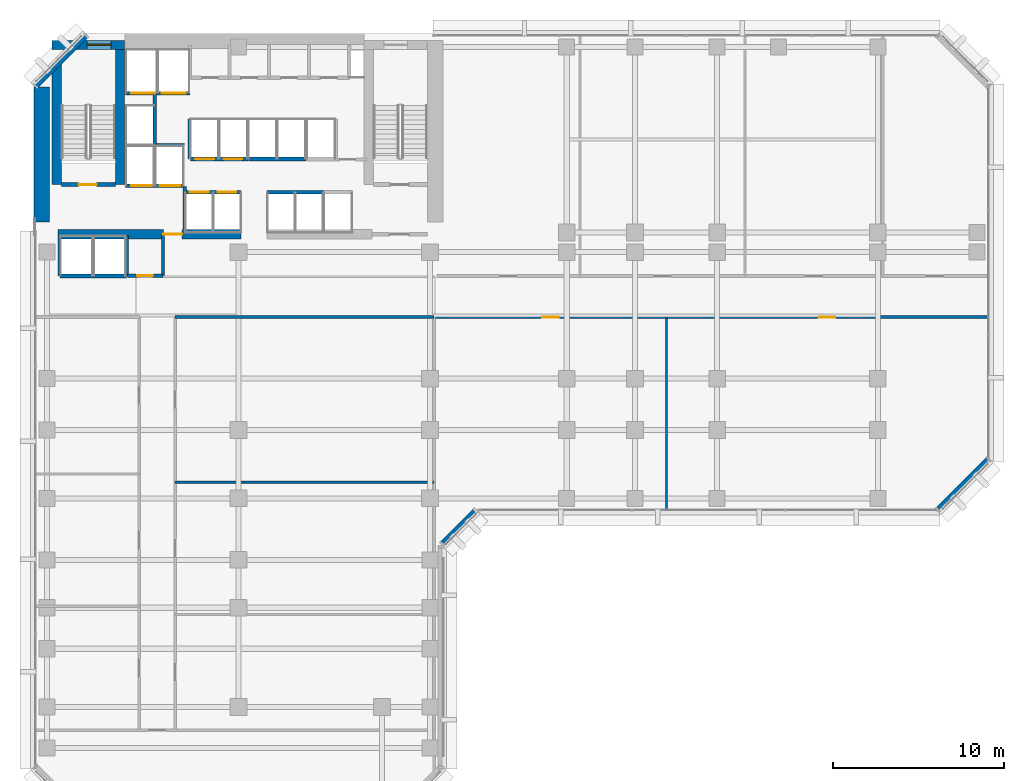
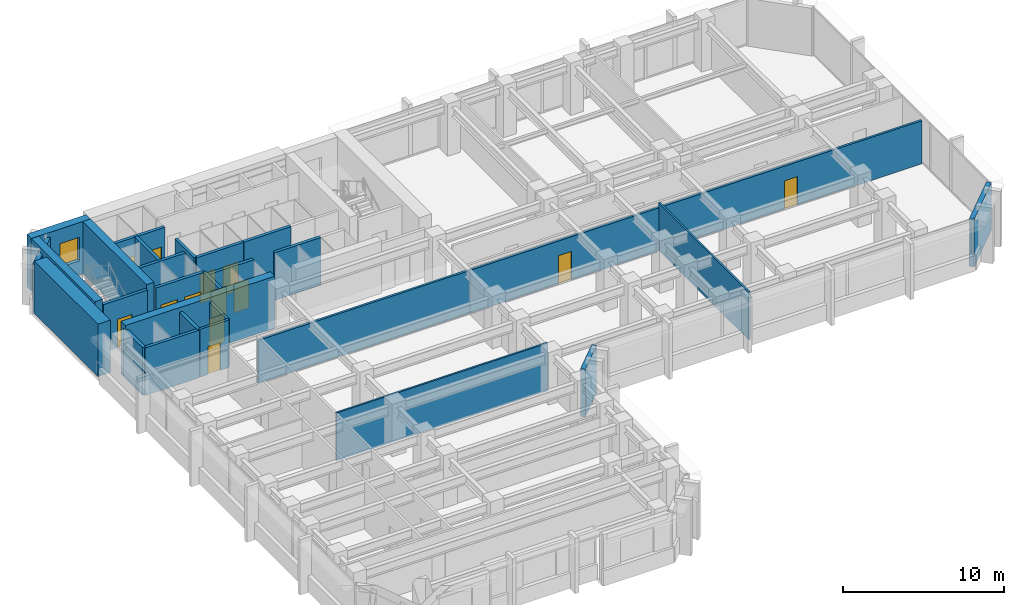
# One storey, part 7 of 13: 28 walls, 13 doors, 1 window, 14 openings.
"""IFC4 building model written with IfcOpenShell, lengths in metres."""

from ifc_helpers import new_model, si_unit, direction, frame, frame_2d, origin, place, context, subcontext, project, spatial, rectangle, extrude, material, layer, layer_set, type_object, element, fill, save


model = new_model("IFC4")

# Units and contexts
model_context = context("Model", 3, precision=1e-05, world=origin(), true_north=direction((0.0, 1.0)))
body_context = subcontext(model_context, "Body", "Model", "MODEL_VIEW")
ifc_project = project(units=[si_unit("LENGTHUNIT", "METRE"), si_unit("AREAUNIT", "SQUARE_METRE"), si_unit("VOLUMEUNIT", "CUBIC_METRE"), si_unit("PLANEANGLEUNIT", "RADIAN"), si_unit("MASSUNIT", "GRAM", prefix="KILO")], contexts=[model_context])

# Site, building, storey
site_placement = place(None, origin())
site = spatial("IfcSite", under=ifc_project, at=site_placement, CompositionType="ELEMENT")
building_placement = place(site_placement, origin())
building = spatial("IfcBuilding", under=site, at=building_placement, Name="Kefirva Bronze Tower", CompositionType="ELEMENT")
storey_placement = place(building_placement, frame((0.0, 0.0, 89.760009765625)))
storey = spatial("IfcBuildingStorey", under=building, at=storey_placement, Name="L21", CompositionType="ELEMENT", Elevation=89.760009765625)

# Walls
ifc_material_1 = material(Name="Gypsum acoustic partition")
ifc_layer_1 = layer(ifc_material_1, 0.1298828125, Name="Gypsum acoustic partition")
ifc_layer_set_1 = layer_set([ifc_layer_1], Name="Gypsum acoustic partition")
wall_type_1 = type_object("IfcWallType", Name="Acoustic Office Partition 130mm", PredefinedType="PARTITIONING", material=ifc_layer_set_1)
wall_1_placement = place(storey_placement, frame((8.300048828125, 19.736083984375, 0.0), z_axis=(0.0, 0.0, 1.0), x_axis=(1.0, 0.0, 0.0)))
element("IfcWall", 1, at=wall_1_placement, inside=storey, type_object=wall_type_1, Name="L21 Partition W-L21-SED2", PredefinedType="PARTITIONING", context=body_context, shape_type="SweptSolid", body=[
    extrude(rectangle(XDim=15.14990234375, YDim=0.1298828125, at=frame_2d((7.574951171875, 0.0))), origin(), (0.0, 0.0, 1.0), 3.610107421875),
])
wall_2_placement = place(storey_placement, frame((37.041259765625, 18.18994140625, 0.0), z_axis=(0.0, 0.0, 1.0), x_axis=(0.0, 1.0, 0.0)))
element("IfcWall", 2, at=wall_2_placement, inside=storey, type_object=wall_type_1, Name="L21 Partition W-L21-ESD1", PredefinedType="PARTITIONING", context=body_context, shape_type="SweptSolid", body=[
    extrude(rectangle(XDim=11.2099609375, YDim=0.1298828125, at=frame_2d((5.60498046875, 0.0))), origin(), (0.0, 0.0, 1.0), 3.610107421875),
])

# Wall, opening, door
ifc_material_2 = material(Name="Gypsum fireboard shaftwall")
ifc_layer_2 = layer(ifc_material_2, 0.219970703125, Name="Gypsum fireboard shaftwall")
ifc_layer_set_2 = layer_set([ifc_layer_2], Name="Gypsum fireboard shaftwall")
wall_type_2 = type_object("IfcWallType", Name="Fire-Rated Shaft Enclosure Wall 220mm", PredefinedType="PARTITIONING", material=ifc_layer_set_2)
wall_3_placement = place(storey_placement, frame((1.64990234375, 37.14990234375, 0.0), z_axis=(0.0, 0.0, 1.0), x_axis=(1.0, 0.0, 0.0)))
wall_3 = element("IfcWall", 3, at=wall_3_placement, inside=storey, type_object=wall_type_2, Name="L21 Partition W-L21-ST1S", PredefinedType="PARTITIONING", context=body_context, shape_type="SweptSolid", body=[
    extrude(rectangle(XDim=3.150146484375, YDim=0.219970703125, at=frame_2d((1.5751953125, 0.0))), origin(), (0.0, 0.0, 1.0), 3.610107421875),
])
opening_1_placement = place(wall_3_placement, frame((2.050048828125, 0.0, 0.0), z_axis=(0.0, 0.0, 1.0), x_axis=(-1.0, 0.0, 0.0)))
opening_1 = element("IfcOpeningElement", 4, at=opening_1_placement, cuts=wall_3, Name="Opening L21-D001", PredefinedType="OPENING", context=body_context, shape_type="SweptSolid", body=[
    extrude(rectangle(XDim=1.050048828125, YDim=2.14990234375, at=frame_2d((0.52490234375, 1.074951171875))), frame((0.0, 0.1201171875, 0.0), z_axis=(0.0, -1.0, 0.0), x_axis=(1.0, 0.0, 0.0)), (0.0, 0.0, 1.0), 0.239990234375),
])
ifc_material_3 = material(Name="Painted galvanized steel", Category="steel")
door_type_1 = type_object("IfcDoorType", Name="Fire Stair Enclosure Door 1050x2150 FD90S", OperationType="NOTDEFINED", PredefinedType="DOOR", material=ifc_material_3)
door_1_placement = place(opening_1_placement, origin())
door_1 = element("IfcDoor", 5, at=door_1_placement, inside=storey, type_object=door_type_1, Name="Door L21-D001", OperationType="SINGLE_SWING_LEFT", OverallHeight=2.14990234375, OverallWidth=1.050048828125, PredefinedType="DOOR", context=body_context, shape_type="SweptSolid", body=[
    extrude(rectangle(XDim=1.050048828125, YDim=2.14990234375, at=frame_2d((0.52490234375, 1.074951171875))), frame((0.0, 0.02490234375, 0.0), z_axis=(0.0, -1.0, 0.0), x_axis=(1.0, 0.0, 0.0)), (0.0, 0.0, 1.0), 0.050048828125),
])
fill(opening_1, door_1)

# Wall, openings, doors
wall_4_placement = place(storey_placement, frame((5.3798828125, 37.080078125, 0.0), z_axis=(0.0, 0.0, 1.0), x_axis=(1.0, 0.0, 0.0)))
wall_4 = element("IfcWall", 6, at=wall_4_placement, inside=storey, type_object=wall_type_2, Name="L21 Partition W-L21-FFS", PredefinedType="PARTITIONING", context=body_context, shape_type="SweptSolid", body=[
    extrude(rectangle(XDim=3.460205078125, YDim=0.219970703125, at=frame_2d((1.72998046875, 0.0))), origin(), (0.0, 0.0, 1.0), 3.610107421875),
])
opening_2_placement = place(wall_4_placement, frame((1.550048828125, 0.0, 0.0), z_axis=(0.0, 0.0, 1.0), x_axis=(-1.0, 0.0, 0.0)))
opening_2 = element("IfcOpeningElement", 7, at=opening_2_placement, cuts=wall_4, Name="Opening L21-LD-FF1", PredefinedType="OPENING", context=body_context, shape_type="SweptSolid", body=[
    extrude(rectangle(XDim=1.199951171875, YDim=2.199951171875, at=frame_2d((0.60009765625, 1.10009765625))), frame((0.0, 0.1201171875, 0.0), z_axis=(0.0, -1.0, 0.0), x_axis=(1.0, 0.0, 0.0)), (0.0, 0.0, 1.0), 0.239990234375),
])
opening_3_placement = place(wall_4_placement, frame((3.219970703125, 0.0, 0.0), z_axis=(0.0, 0.0, 1.0), x_axis=(-1.0, 0.0, 0.0)))
opening_3 = element("IfcOpeningElement", 8, at=opening_3_placement, cuts=wall_4, Name="Opening L21-LD-FF2", PredefinedType="OPENING", context=body_context, shape_type="SweptSolid", body=[
    extrude(rectangle(XDim=1.199951171875, YDim=2.199951171875, at=frame_2d((0.60009765625, 1.10009765625))), frame((0.0, 0.1201171875, 0.0), z_axis=(0.0, -1.0, 0.0), x_axis=(1.0, 0.0, 0.0)), (0.0, 0.0, 1.0), 0.239990234375),
])
ifc_material_4 = material(Name="Stainless steel 316", Category="steel")
door_type_2 = type_object("IfcDoorType", Name="Firefighting Lift Sliding Door 1200x2200", OperationType="SLIDING_TO_RIGHT", PredefinedType="DOOR", material=ifc_material_4)
door_2_placement = place(opening_2_placement, origin())
door_2 = element("IfcDoor", 9, at=door_2_placement, inside=storey, type_object=door_type_2, Name="Door L21-LD-FF1", OperationType="SLIDING_TO_RIGHT", OverallHeight=2.199951171875, OverallWidth=1.199951171875, PredefinedType="DOOR", context=body_context, shape_type="SweptSolid", body=[
    extrude(rectangle(XDim=1.199951171875, YDim=2.199951171875, at=frame_2d((0.60009765625, 1.10009765625))), frame((0.0, 0.02490234375, 0.0), z_axis=(0.0, -1.0, 0.0), x_axis=(1.0, 0.0, 0.0)), (0.0, 0.0, 1.0), 0.050048828125),
])
fill(opening_2, door_2)
door_3_placement = place(opening_3_placement, origin())
door_3 = element("IfcDoor", 10, at=door_3_placement, inside=storey, type_object=door_type_2, Name="Door L21-LD-FF2", OperationType="SLIDING_TO_RIGHT", OverallHeight=2.199951171875, OverallWidth=1.199951171875, PredefinedType="DOOR", context=body_context, shape_type="SweptSolid", body=[
    extrude(rectangle(XDim=1.199951171875, YDim=2.199951171875, at=frame_2d((0.60009765625, 1.10009765625))), frame((0.0, 0.02490234375, 0.0), z_axis=(0.0, -1.0, 0.0), x_axis=(1.0, 0.0, 0.0)), (0.0, 0.0, 1.0), 0.050048828125),
])
fill(opening_3, door_3)

# Wall
wall_5_placement = place(storey_placement, frame((5.3798828125, 39.449951171875, 0.0), z_axis=(0.0, 0.0, 1.0), x_axis=(1.0, 0.0, 0.0)))
element("IfcWall", 11, at=wall_5_placement, inside=storey, type_object=wall_type_2, Name="L21 Partition W-L21-FFN", PredefinedType="PARTITIONING", context=body_context, shape_type="SweptSolid", body=[
    extrude(rectangle(XDim=3.460205078125, YDim=0.219970703125, at=frame_2d((1.72998046875, 0.0))), origin(), (0.0, 0.0, 1.0), 3.610107421875),
])

# Wall, openings, doors
wall_6_placement = place(storey_placement, frame((5.3798828125, 42.5, 0.0), z_axis=(0.0, 0.0, 1.0), x_axis=(1.0, 0.0, 0.0)))
wall_6 = element("IfcWall", 12, at=wall_6_placement, inside=storey, type_object=wall_type_2, Name="L21 Partition W-L21-SVS", PredefinedType="PARTITIONING", context=body_context, shape_type="SweptSolid", body=[
    extrude(rectangle(XDim=3.77001953125, YDim=0.219970703125, at=frame_2d((1.885009765625, 0.0))), origin(), (0.0, 0.0, 1.0), 3.610107421875),
])
opening_4_placement = place(wall_6_placement, frame((1.75, 0.0, 0.0), z_axis=(0.0, 0.0, 1.0), x_axis=(-1.0, 0.0, 0.0)))
opening_4 = element("IfcOpeningElement", 13, at=opening_4_placement, cuts=wall_6, Name="Opening L21-LD-SV1", PredefinedType="OPENING", context=body_context, shape_type="SweptSolid", body=[
    extrude(rectangle(XDim=1.39990234375, YDim=2.199951171875, at=frame_2d((0.699951171875, 1.10009765625))), frame((0.0, 0.1201171875, 0.0), z_axis=(0.0, -1.0, 0.0), x_axis=(1.0, 0.0, 0.0)), (0.0, 0.0, 1.0), 0.239990234375),
])
opening_5_placement = place(wall_6_placement, frame((3.52978515625, 0.0, 0.0), z_axis=(0.0, 0.0, 1.0), x_axis=(-1.0, 0.0, 0.0)))
opening_5 = element("IfcOpeningElement", 14, at=opening_5_placement, cuts=wall_6, Name="Opening L21-LD-SV2", PredefinedType="OPENING", context=body_context, shape_type="SweptSolid", body=[
    extrude(rectangle(XDim=1.39990234375, YDim=2.199951171875, at=frame_2d((0.699951171875, 1.10009765625))), frame((0.0, 0.1201171875, 0.0), z_axis=(0.0, -1.0, 0.0), x_axis=(1.0, 0.0, 0.0)), (0.0, 0.0, 1.0), 0.239990234375),
])
door_type_3 = type_object("IfcDoorType", Name="Goods Lift Bi-Parting Sliding Door 1400x2200", OperationType="SLIDING_TO_LEFT", PredefinedType="DOOR", material=ifc_material_4)
door_4_placement = place(opening_4_placement, origin())
door_4 = element("IfcDoor", 15, at=door_4_placement, inside=storey, type_object=door_type_3, Name="Door L21-LD-SV1", OperationType="SLIDING_TO_LEFT", OverallHeight=2.199951171875, OverallWidth=1.39990234375, PredefinedType="DOOR", context=body_context, shape_type="SweptSolid", body=[
    extrude(rectangle(XDim=1.39990234375, YDim=2.199951171875, at=frame_2d((0.699951171875, 1.10009765625))), frame((0.0, 0.02490234375, 0.0), z_axis=(0.0, -1.0, 0.0), x_axis=(1.0, 0.0, 0.0)), (0.0, 0.0, 1.0), 0.050048828125),
])
fill(opening_4, door_4)
door_5_placement = place(opening_5_placement, origin())
door_5 = element("IfcDoor", 16, at=door_5_placement, inside=storey, type_object=door_type_3, Name="Door L21-LD-SV2", OperationType="SLIDING_TO_LEFT", OverallHeight=2.199951171875, OverallWidth=1.39990234375, PredefinedType="DOOR", context=body_context, shape_type="SweptSolid", body=[
    extrude(rectangle(XDim=1.39990234375, YDim=2.199951171875, at=frame_2d((0.699951171875, 1.10009765625))), frame((0.0, 0.02490234375, 0.0), z_axis=(0.0, -1.0, 0.0), x_axis=(1.0, 0.0, 0.0)), (0.0, 0.0, 1.0), 0.050048828125),
])
fill(opening_5, door_5)

# Walls
wall_7_placement = place(storey_placement, frame((7.10009765625, 39.52001953125, 0.0), z_axis=(0.0, 0.0, 1.0), x_axis=(0.0, 1.0, 0.0)))
element("IfcWall", 17, at=wall_7_placement, inside=storey, type_object=wall_type_2, Name="L21 Partition W-L21-HP3E", PredefinedType="PARTITIONING", context=body_context, shape_type="SweptSolid", body=[
    extrude(rectangle(XDim=2.929931640625, YDim=0.219970703125, at=frame_2d((1.46484375, 0.0))), origin(), (0.0, 0.0, 1.0), 3.610107421875),
])
wall_8_placement = place(storey_placement, frame((1.550048828125, 31.800048828125, 0.0), z_axis=(0.0, 0.0, 1.0), x_axis=(1.0, 0.0, 0.0)))
element("IfcWall", 18, at=wall_8_placement, inside=storey, type_object=wall_type_2, Name="L21 Partition W-L21-OBS", PredefinedType="PARTITIONING", context=body_context, shape_type="SweptSolid", body=[
    extrude(rectangle(XDim=3.89990234375, YDim=0.219970703125, at=frame_2d((1.949951171875, 0.0))), origin(), (0.0, 0.0, 1.0), 3.610107421875),
])
for number, where, z_axis, x_axis, name in (
    (19, (1.550048828125, 31.800048828125, 0.0), (0.0, 0.0, 1.0), (0.0, 1.0, 0.0), "L21 Partition W-L21-OBW"),
    (20, (5.449951171875, 31.800048828125, 0.0), (0.0, 0.0, 1.0), (0.0, 1.0, 0.0), "L21 Partition W-L21-OBE"),
):
    element("IfcWall", number, at=place(storey_placement, frame(where, z_axis=z_axis, x_axis=x_axis)), inside=storey, type_object=wall_type_2, Name=name, PredefinedType="PARTITIONING", context=body_context, shape_type="SweptSolid", body=[
        extrude(rectangle(XDim=2.3798828125, YDim=0.219970703125, at=frame_2d((1.18994140625, 0.0))), origin(), (0.0, 0.0, 1.0), 3.610107421875),
    ])
wall_9_placement = place(storey_placement, frame((9.159912109375, 38.64990234375, 0.0), z_axis=(0.0, 0.0, 1.0), x_axis=(0.0, 1.0, 0.0)))
element("IfcWall", 21, at=wall_9_placement, inside=storey, type_object=wall_type_2, Name="L21 Partition W-L21-LP3W", PredefinedType="PARTITIONING", context=body_context, shape_type="SweptSolid", body=[
    extrude(rectangle(XDim=2.35009765625, YDim=0.199951171875, at=frame_2d((1.175048828125, 0.0))), origin(), (0.0, 0.0, 1.0), 3.610107421875),
])

# Wall, openings, doors
wall_10_placement = place(storey_placement, frame((8.89990234375, 36.699951171875, 0.0), z_axis=(0.0, 0.0, 1.0), x_axis=(1.0, 0.0, 0.0)))
wall_10 = element("IfcWall", 22, at=wall_10_placement, inside=storey, type_object=wall_type_2, Name="L21 Partition W-L21-LPS", PredefinedType="PARTITIONING", context=body_context, shape_type="SweptSolid", body=[
    extrude(rectangle(XDim=3.260009765625, YDim=0.219970703125, at=frame_2d((1.6298828125, 0.0))), origin(), (0.0, 0.0, 1.0), 3.610107421875),
])
opening_6_placement = place(wall_10_placement, frame((0.260009765625, 0.0, 0.0)))
opening_6 = element("IfcOpeningElement", 23, at=opening_6_placement, cuts=wall_10, Name="Opening L21-LD-LP1", PredefinedType="OPENING", context=body_context, shape_type="SweptSolid", body=[
    extrude(rectangle(XDim=1.10009765625, YDim=2.199951171875, at=frame_2d((0.550048828125, 1.10009765625))), frame((0.0, 0.1201171875, 0.0), z_axis=(0.0, -1.0, 0.0), x_axis=(1.0, 0.0, 0.0)), (0.0, 0.0, 1.0), 0.239990234375),
])
opening_7_placement = place(wall_10_placement, frame((1.8798828125, 0.0, 0.0)))
opening_7 = element("IfcOpeningElement", 24, at=opening_7_placement, cuts=wall_10, Name="Opening L21-LD-LP2", PredefinedType="OPENING", context=body_context, shape_type="SweptSolid", body=[
    extrude(rectangle(XDim=1.10009765625, YDim=2.199951171875, at=frame_2d((0.550048828125, 1.10009765625))), frame((0.0, 0.1201171875, 0.0), z_axis=(0.0, -1.0, 0.0), x_axis=(1.0, 0.0, 0.0)), (0.0, 0.0, 1.0), 0.239990234375),
])
door_type_4 = type_object("IfcDoorType", Name="Passenger Lift Sliding Landing Door 1100x2200", OperationType="SLIDING_TO_LEFT", PredefinedType="DOOR", material=ifc_material_4)
door_6_placement = place(opening_6_placement, origin())
door_6 = element("IfcDoor", 25, at=door_6_placement, inside=storey, type_object=door_type_4, Name="Door L21-LD-LP1", OperationType="SLIDING_TO_LEFT", OverallHeight=2.199951171875, OverallWidth=1.10009765625, PredefinedType="DOOR", context=body_context, shape_type="SweptSolid", body=[
    extrude(rectangle(XDim=1.10009765625, YDim=2.199951171875, at=frame_2d((0.550048828125, 1.10009765625))), frame((0.0, 0.02490234375, 0.0), z_axis=(0.0, -1.0, 0.0), x_axis=(1.0, 0.0, 0.0)), (0.0, 0.0, 1.0), 0.050048828125),
])
fill(opening_6, door_6)
door_7_placement = place(opening_7_placement, origin())
door_7 = element("IfcDoor", 26, at=door_7_placement, inside=storey, type_object=door_type_4, Name="Door L21-LD-LP2", OperationType="SLIDING_TO_LEFT", OverallHeight=2.199951171875, OverallWidth=1.10009765625, PredefinedType="DOOR", context=body_context, shape_type="SweptSolid", body=[
    extrude(rectangle(XDim=1.10009765625, YDim=2.199951171875, at=frame_2d((0.550048828125, 1.10009765625))), frame((0.0, 0.02490234375, 0.0), z_axis=(0.0, -1.0, 0.0), x_axis=(1.0, 0.0, 0.0)), (0.0, 0.0, 1.0), 0.050048828125),
])
fill(opening_7, door_7)

wall_11_placement = place(storey_placement, frame((9.179931640625, 38.64990234375, 0.0), z_axis=(0.0, 0.0, 1.0), x_axis=(1.0, 0.0, 0.0)))
wall_11 = element("IfcWall", 27, at=wall_11_placement, inside=storey, type_object=wall_type_2, Name="L21 Partition W-L21-LPN", PredefinedType="PARTITIONING", context=body_context, shape_type="SweptSolid", body=[
    extrude(rectangle(XDim=3.380126953125, YDim=0.219970703125, at=frame_2d((1.68994140625, 0.0))), origin(), (0.0, 0.0, 1.0), 3.610107421875),
])
opening_8_placement = place(wall_11_placement, frame((0.300048828125, 0.0, 0.0)))
opening_8 = element("IfcOpeningElement", 28, at=opening_8_placement, cuts=wall_11, Name="Opening L21-LD-LP3", PredefinedType="OPENING", context=body_context, shape_type="SweptSolid", body=[
    extrude(rectangle(XDim=1.10009765625, YDim=2.199951171875, at=frame_2d((0.550048828125, 1.10009765625))), frame((0.0, 0.1201171875, 0.0), z_axis=(0.0, -1.0, 0.0), x_axis=(1.0, 0.0, 0.0)), (0.0, 0.0, 1.0), 0.239990234375),
])
opening_9_placement = place(wall_11_placement, frame((1.949951171875, 0.0, 0.0)))
opening_9 = element("IfcOpeningElement", 29, at=opening_9_placement, cuts=wall_11, Name="Opening L21-LD-LP4", PredefinedType="OPENING", context=body_context, shape_type="SweptSolid", body=[
    extrude(rectangle(XDim=1.10009765625, YDim=2.199951171875, at=frame_2d((0.550048828125, 1.10009765625))), frame((0.0, 0.1201171875, 0.0), z_axis=(0.0, -1.0, 0.0), x_axis=(1.0, 0.0, 0.0)), (0.0, 0.0, 1.0), 0.239990234375),
])
door_8_placement = place(opening_8_placement, origin())
door_8 = element("IfcDoor", 30, at=door_8_placement, inside=storey, type_object=door_type_4, Name="Door L21-LD-LP3", OperationType="SLIDING_TO_LEFT", OverallHeight=2.199951171875, OverallWidth=1.10009765625, PredefinedType="DOOR", context=body_context, shape_type="SweptSolid", body=[
    extrude(rectangle(XDim=1.10009765625, YDim=2.199951171875, at=frame_2d((0.550048828125, 1.10009765625))), frame((0.0, 0.02490234375, 0.0), z_axis=(0.0, -1.0, 0.0), x_axis=(1.0, 0.0, 0.0)), (0.0, 0.0, 1.0), 0.050048828125),
])
fill(opening_8, door_8)
door_9_placement = place(opening_9_placement, origin())
door_9 = element("IfcDoor", 31, at=door_9_placement, inside=storey, type_object=door_type_4, Name="Door L21-LD-LP4", OperationType="SLIDING_TO_LEFT", OverallHeight=2.199951171875, OverallWidth=1.10009765625, PredefinedType="DOOR", context=body_context, shape_type="SweptSolid", body=[
    extrude(rectangle(XDim=1.10009765625, YDim=2.199951171875, at=frame_2d((0.550048828125, 1.10009765625))), frame((0.0, 0.02490234375, 0.0), z_axis=(0.0, -1.0, 0.0), x_axis=(1.0, 0.0, 0.0)), (0.0, 0.0, 1.0), 0.050048828125),
])
fill(opening_9, door_9)

# Walls
wall_12_placement = place(storey_placement, frame((13.679931640625, 36.699951171875, 0.0), z_axis=(0.0, 0.0, 1.0), x_axis=(1.0, 0.0, 0.0)))
element("IfcWall", 32, at=wall_12_placement, inside=storey, type_object=wall_type_2, Name="L21 Partition W-L21-MPS", PredefinedType="PARTITIONING", context=body_context, shape_type="SweptSolid", body=[
    extrude(rectangle(XDim=3.280029296875, YDim=0.219970703125, at=frame_2d((1.64013671875, 0.0))), origin(), (0.0, 0.0, 1.0), 3.610107421875),
])
wall_13_placement = place(storey_placement, frame((12.580078125, 38.64990234375, 0.0), z_axis=(0.0, 0.0, 1.0), x_axis=(1.0, 0.0, 0.0)))
element("IfcWall", 33, at=wall_13_placement, inside=storey, type_object=wall_type_2, Name="L21 Partition W-L21-MPN", PredefinedType="PARTITIONING", context=body_context, shape_type="SweptSolid", body=[
    extrude(rectangle(XDim=3.3798828125, YDim=0.219970703125, at=frame_2d((1.68994140625, 0.0))), origin(), (0.0, 0.0, 1.0), 3.610107421875),
])
ifc_material_5 = material(Name="Gypsum fireboard barrier")
ifc_layer_3 = layer(ifc_material_5, 0.199951171875, Name="Gypsum fireboard barrier")
ifc_layer_set_3 = layer_set([ifc_layer_3], Name="Gypsum fireboard barrier")
wall_type_3 = type_object("IfcWallType", Name="Firefighting Lobby Barrier Wall 200mm", PredefinedType="PARTITIONING", material=ifc_layer_set_3)
wall_14_placement = place(storey_placement, frame((8.860107421875, 34.550048828125, 0.0), z_axis=(0.0, 0.0, 1.0), x_axis=(0.0, 1.0, 0.0)))
element("IfcWall", 34, at=wall_14_placement, inside=storey, type_object=wall_type_3, Name="L21 Partition W-L21-FFLE", PredefinedType="PARTITIONING", context=body_context, shape_type="SweptSolid", body=[
    extrude(rectangle(XDim=2.5, YDim=0.199951171875, at=frame_2d((1.25, 0.0))), origin(), (0.0, 0.0, 1.0), 3.610107421875),
])
ifc_material_6 = material(Name="Precast concrete C40/50", Category="concrete")
ifc_layer_4 = layer(ifc_material_6, 0.320068359375, Name="Precast concrete C40/50")
ifc_layer_set_4 = layer_set([ifc_layer_4], Name="Precast concrete C40/50")
wall_type_4 = type_object("IfcWallType", Name="Precast Insulated Exterior Wall 320mm", PredefinedType="SOLIDWALL", material=ifc_layer_set_4)
wall_15_placement = place(storey_placement, frame((23.92578125, 16.152099609375, 0.0), z_axis=(0.0, 0.0, 1.0), x_axis=(0.707106781187, 0.707106781187, 0.0)))
element("IfcWall", 35, at=wall_15_placement, inside=storey, type_object=wall_type_4, Name="L21 Exterior Facade Wall 6", PredefinedType="SOLIDWALL", context=body_context, shape_type="SweptSolid", body=[
    extrude(rectangle(XDim=2.71826171875, YDim=0.320068359375, at=frame_2d((1.359130859375, 0.0))), origin(), (0.0, 0.0, 1.0), 3.610107421875),
])
for number, where, z_axis, x_axis, name in (
    (36, (52.92578125, 18.152099609375, 0.0), (0.0, 0.0, 1.0), (0.707106781187, 0.707106781187, 0.0), "L21 Exterior Facade Wall 7"),
    (37, (3.07421875, 45.847900390625, 0.0), (0.0, 0.0, 1.0), (-0.707106781187, -0.707106781187, 0.0), "L21 Exterior Facade Wall 9"),
):
    element("IfcWall", number, at=place(storey_placement, frame(where, z_axis=z_axis, x_axis=x_axis)), inside=storey, type_object=wall_type_4, Name=name, PredefinedType="SOLIDWALL", context=body_context, shape_type="SweptSolid", body=[
        extrude(rectangle(XDim=4.132568359375, YDim=0.320068359375, at=frame_2d((2.06640625, 0.0))), origin(), (0.0, 0.0, 1.0), 3.610107421875),
    ])
ifc_layer_5 = layer(ifc_material_1, 0.159912109375, Name="Gypsum acoustic partition")
ifc_layer_set_5 = layer_set([ifc_layer_5], Name="Gypsum acoustic partition")
wall_type_5 = type_object("IfcWallType", Name="Protected Corridor Partition 160mm", PredefinedType="PARTITIONING", material=ifc_layer_set_5)
wall_16_placement = place(storey_placement, frame((8.300048828125, 29.39990234375, 0.0), z_axis=(0.0, 0.0, 1.0), x_axis=(1.0, 0.0, 0.0)))
element("IfcWall", 38, at=wall_16_placement, inside=storey, type_object=wall_type_5, Name="L21 Partition W-L21-NET", PredefinedType="PARTITIONING", context=body_context, shape_type="SweptSolid", body=[
    extrude(rectangle(XDim=15.14990234375, YDim=0.159912109375, at=frame_2d((7.574951171875, 0.0))), origin(), (0.0, 0.0, 1.0), 3.264892578125),
])

# Wall, openings, doors
wall_17_placement = place(storey_placement, frame((23.449951171875, 29.39990234375, 0.0), z_axis=(0.0, 0.0, 1.0), x_axis=(1.0, 0.0, 0.0)))
wall_17 = element("IfcWall", 39, at=wall_17_placement, inside=storey, type_object=wall_type_5, Name="L21 Partition W-L21-EWS", PredefinedType="PARTITIONING", context=body_context, shape_type="SweptSolid", body=[
    extrude(rectangle(XDim=32.360107421875, YDim=0.159912109375, at=frame_2d((16.18017578125, 0.0))), origin(), (0.0, 0.0, 1.0), 3.264892578125),
])
opening_10_placement = place(wall_17_placement, frame((7.2705078125, 0.0, 0.0), z_axis=(0.0, 0.0, 1.0), x_axis=(-1.0, 0.0, 0.0)))
opening_10 = element("IfcOpeningElement", 40, at=opening_10_placement, cuts=wall_17, Name="Opening L21-D-ES1", PredefinedType="OPENING", context=body_context, shape_type="SweptSolid", body=[
    extrude(rectangle(XDim=0.949951171875, YDim=2.14990234375, at=frame_2d((0.47509765625, 1.074951171875))), frame((0.0, 0.08984375, 0.0), z_axis=(0.0, -1.0, 0.0), x_axis=(1.0, 0.0, 0.0)), (0.0, 0.0, 1.0), 0.179931640625),
])
opening_11_placement = place(wall_17_placement, frame((23.450439453125, 0.0, 0.0), z_axis=(0.0, 0.0, 1.0), x_axis=(-1.0, 0.0, 0.0)))
opening_11 = element("IfcOpeningElement", 41, at=opening_11_placement, cuts=wall_17, Name="Opening L21-D-ES2", PredefinedType="OPENING", context=body_context, shape_type="SweptSolid", body=[
    extrude(rectangle(XDim=0.949951171875, YDim=2.14990234375, at=frame_2d((0.47509765625, 1.074951171875))), frame((0.0, 0.08984375, 0.0), z_axis=(0.0, -1.0, 0.0), x_axis=(1.0, 0.0, 0.0)), (0.0, 0.0, 1.0), 0.179931640625),
])
ifc_material_7 = material(Name="Acoustic hardwood oak", Category="wood")
door_type_5 = type_object("IfcDoorType", Name="Office & Meeting Room Door 950x2150", OperationType="NOTDEFINED", PredefinedType="DOOR", material=ifc_material_7)
door_10_placement = place(opening_10_placement, origin())
door_10 = element("IfcDoor", 42, at=door_10_placement, inside=storey, type_object=door_type_5, Name="Door L21-D-ES1", OperationType="SINGLE_SWING_RIGHT", OverallHeight=2.14990234375, OverallWidth=0.949951171875, PredefinedType="DOOR", context=body_context, shape_type="SweptSolid", body=[
    extrude(rectangle(XDim=0.949951171875, YDim=2.14990234375, at=frame_2d((0.47509765625, 1.074951171875))), frame((0.0, 0.02490234375, 0.0), z_axis=(0.0, -1.0, 0.0), x_axis=(1.0, 0.0, 0.0)), (0.0, 0.0, 1.0), 0.050048828125),
])
fill(opening_10, door_10)
door_11_placement = place(opening_11_placement, origin())
door_11 = element("IfcDoor", 43, at=door_11_placement, inside=storey, type_object=door_type_5, Name="Door L21-D-ES2", OperationType="SINGLE_SWING_LEFT", OverallHeight=2.14990234375, OverallWidth=0.949951171875, PredefinedType="DOOR", context=body_context, shape_type="SweptSolid", body=[
    extrude(rectangle(XDim=0.949951171875, YDim=2.14990234375, at=frame_2d((0.47509765625, 1.074951171875))), frame((0.0, 0.02490234375, 0.0), z_axis=(0.0, -1.0, 0.0), x_axis=(1.0, 0.0, 0.0)), (0.0, 0.0, 1.0), 0.050048828125),
])
fill(opening_11, door_11)

# Wall, opening, window
ifc_material_8 = material(Name="Concrete C50/60", Category="concrete")
ifc_layer_6 = layer(ifc_material_8, 0.550048828125, Name="Concrete C50/60")
ifc_layer_set_6 = layer_set([ifc_layer_6], Name="Concrete C50/60")
wall_type_6 = type_object("IfcWallType", Name="RC Rear Core Exterior Wall 550mm", PredefinedType="SHEAR", material=ifc_layer_set_6)
wall_18_placement = place(storey_placement, frame((1.10009765625, 45.320068359375, 0.0), z_axis=(0.0, 0.0, 1.0), x_axis=(1.0, 0.0, 0.0)))
wall_18 = element("IfcWall", 44, at=wall_18_placement, inside=storey, type_object=wall_type_6, Name="L21 Stair 1 North Shear Wall", PredefinedType="SHEAR", context=body_context, shape_type="SweptSolid", body=[
    extrude(rectangle(XDim=4.239990234375, YDim=0.550048828125, at=frame_2d((2.1201171875, 0.0))), origin(), (0.0, 0.0, 1.0), 3.9599609375),
])
opening_12_placement = place(wall_18_placement, frame((2.050048828125, 0.0, 1.050048828125)))
opening_12 = element("IfcOpeningElement", 45, at=opening_12_placement, cuts=wall_18, Name="Opening WN-03", PredefinedType="OPENING", context=body_context, shape_type="SweptSolid", body=[
    extrude(rectangle(XDim=1.39990234375, YDim=1.800048828125, at=frame_2d((0.699951171875, 0.89990234375))), frame((0.0, 0.28515625, 0.0), z_axis=(0.0, -1.0, 0.0), x_axis=(1.0, 0.0, 0.0)), (0.0, 0.0, 1.0), 0.570068359375),
])
ifc_material_9 = material(Name="Laminated low-E double glazing", Category="glass")
window_type = type_object("IfcWindowType", Name="Rear-Core Stair Daylight Window 1400x1800", PartitioningType="SINGLE_PANEL", PredefinedType="WINDOW", material=ifc_material_9)
window_placement = place(opening_12_placement, origin())
window = element("IfcWindow", 46, at=window_placement, inside=storey, type_object=window_type, Name="L21 Stair 1 Daylight Window", OverallHeight=1.800048828125, OverallWidth=1.39990234375, PartitioningType="SINGLE_PANEL", PredefinedType="WINDOW", context=body_context, shape_type="SweptSolid", body=[
    extrude(rectangle(XDim=1.39990234375, YDim=1.800048828125, at=frame_2d((0.699951171875, 0.89990234375))), frame((0.0, 0.030029296875, 0.0), z_axis=(0.0, -1.0, 0.0), x_axis=(1.0, 0.0, 0.0)), (0.0, 0.0, 1.0), 0.06005859375),
])
fill(opening_12, window)

# Walls
ifc_material_10 = material(Name="Concrete C60/75", Category="concrete")
ifc_layer_7 = layer(ifc_material_10, 0.89990234375, Name="Concrete C60/75")
ifc_layer_set_7 = layer_set([ifc_layer_7], Name="Concrete C60/75")
wall_type_7 = type_object("IfcWallType", Name="RC Rear Core Exterior Wall 900mm", PredefinedType="SHEAR", material=ifc_layer_set_7)
wall_19_placement = place(storey_placement, frame((0.5, 34.949951171875, 0.0), z_axis=(0.0, 0.0, 1.0), x_axis=(0.0, 1.0, 0.0)))
element("IfcWall", 47, at=wall_19_placement, inside=storey, type_object=wall_type_7, Name="L21 Rear Core West Shear Wall", PredefinedType="SHEAR", context=body_context, shape_type="SweptSolid", body=[
    extrude(rectangle(XDim=7.900146484375, YDim=0.89990234375, at=frame_2d((3.9501953125, 0.0))), origin(), (0.0, 0.0, 1.0), 3.9599609375),
])
ifc_layer_8 = layer(ifc_material_8, 0.550048828125, Name="Concrete C50/60")
ifc_layer_set_8 = layer_set([ifc_layer_8], Name="Concrete C50/60")
wall_type_8 = type_object("IfcWallType", Name="RC Rear Core Interior Wall 550mm", PredefinedType="SHEAR", material=ifc_layer_set_8)
for number, where, z_axis, x_axis, name in (
    (48, (1.3701171875, 37.14990234375, 0.0), (0.0, 0.0, 1.0), (0.0, 1.0, 0.0), "L21 Stair 1 West Shear Wall"),
    (49, (5.070068359375, 37.14990234375, 0.0), (0.0, 0.0, 1.0), (0.0, 1.0, 0.0), "L21 Stair 1 East Shear Wall"),
):
    element("IfcWall", number, at=place(storey_placement, frame(where, z_axis=z_axis, x_axis=x_axis)), inside=storey, type_object=wall_type_8, Name=name, PredefinedType="SHEAR", context=body_context, shape_type="SweptSolid", body=[
        extrude(rectangle(XDim=7.89013671875, YDim=0.550048828125, at=frame_2d((3.945068359375, 0.0))), origin(), (0.0, 0.0, 1.0), 3.9599609375),
    ])

# Wall, opening, door
ifc_layer_9 = layer(ifc_material_10, 0.89990234375, Name="Concrete C60/75")
ifc_layer_set_9 = layer_set([ifc_layer_9], Name="Concrete C60/75")
wall_type_9 = type_object("IfcWallType", Name="RC Rear Core Interior Wall 900mm", PredefinedType="SHEAR", material=ifc_layer_set_9)
wall_20_placement = place(storey_placement, frame((1.449951171875, 34.25, 0.0), z_axis=(0.0, 0.0, 1.0), x_axis=(1.0, 0.0, 0.0)))
wall_20 = element("IfcWall", 50, at=wall_20_placement, inside=storey, type_object=wall_type_9, Name="L21 Rear Core South-West Shear Wall", PredefinedType="SHEAR", context=body_context, shape_type="SweptSolid", body=[
    extrude(rectangle(XDim=10.7099609375, YDim=0.550048828125, at=frame_2d((5.35498046875, 0.0))), origin(), (0.0, 0.0, 1.0), 3.9599609375),
])
opening_13_placement = place(wall_20_placement, frame((7.25, 0.0, 0.0), z_axis=(0.0, 0.0, 1.0), x_axis=(-1.0, 0.0, 0.0)))
opening_13 = element("IfcOpeningElement", 51, at=opening_13_placement, cuts=wall_20, Name="Opening L21-D002", PredefinedType="OPENING", context=body_context, shape_type="SweptSolid", body=[
    extrude(rectangle(XDim=1.10009765625, YDim=2.14990234375, at=frame_2d((0.550048828125, 1.074951171875))), frame((0.0, 0.28515625, 0.0), z_axis=(0.0, -1.0, 0.0), x_axis=(1.0, 0.0, 0.0)), (0.0, 0.0, 1.0), 0.570068359375),
])
door_type_6 = type_object("IfcDoorType", Name="Firefighting Lobby Smoke Door 1100x2150 FD60S", OperationType="NOTDEFINED", PredefinedType="DOOR", material=ifc_material_3)
door_12_placement = place(opening_13_placement, origin())
door_12 = element("IfcDoor", 52, at=door_12_placement, inside=storey, type_object=door_type_6, Name="Door L21-D002", OperationType="SINGLE_SWING_RIGHT", OverallHeight=2.14990234375, OverallWidth=1.10009765625, PredefinedType="DOOR", context=body_context, shape_type="SweptSolid", body=[
    extrude(rectangle(XDim=1.10009765625, YDim=2.14990234375, at=frame_2d((0.550048828125, 1.074951171875))), frame((0.0, 0.02490234375, 0.0), z_axis=(0.0, -1.0, 0.0), x_axis=(1.0, 0.0, 0.0)), (0.0, 0.0, 1.0), 0.050048828125),
])
fill(opening_13, door_12)

ifc_material_11 = material(Name="Moisture-resistant partition")
ifc_layer_10 = layer(ifc_material_11, 0.179931640625, Name="Moisture-resistant partition")
ifc_layer_set_10 = layer_set([ifc_layer_10], Name="Moisture-resistant partition")
wall_type_10 = type_object("IfcWallType", Name="Sanitary Plumbing Chase Wall 180mm", PredefinedType="PLUMBINGWALL", material=ifc_layer_set_10)
wall_21_placement = place(storey_placement, frame((5.5, 31.820068359375, 0.0), z_axis=(0.0, 0.0, 1.0), x_axis=(1.0, 0.0, 0.0)))
wall_21 = element("IfcWall", 53, at=wall_21_placement, inside=storey, type_object=wall_type_10, Name="L21 Partition W-L21-TCS", PredefinedType="PLUMBINGWALL", context=body_context, shape_type="SweptSolid", body=[
    extrude(rectangle(XDim=2.080078125, YDim=0.179931640625, at=frame_2d((1.0400390625, 0.0))), origin(), (0.0, 0.0, 1.0), 3.610107421875),
])
opening_14_placement = place(wall_21_placement, frame((1.47998046875, 0.0, 0.0), z_axis=(0.0, 0.0, 1.0), x_axis=(-1.0, 0.0, 0.0)))
opening_14 = element("IfcOpeningElement", 54, at=opening_14_placement, cuts=wall_21, Name="Opening L21-D-TCL1", PredefinedType="OPENING", context=body_context, shape_type="SweptSolid", body=[
    extrude(rectangle(XDim=0.89990234375, YDim=2.10009765625, at=frame_2d((0.449951171875, 1.050048828125))), frame((0.0, 0.10009765625, 0.0), z_axis=(0.0, -1.0, 0.0), x_axis=(1.0, 0.0, 0.0)), (0.0, 0.0, 1.0), 0.199951171875),
])
door_type_7 = type_object("IfcDoorType", Name="Telecom & Meter Fire Door 900x2100 FD60S", OperationType="NOTDEFINED", PredefinedType="DOOR", material=ifc_material_3)
door_13_placement = place(opening_14_placement, origin())
door_13 = element("IfcDoor", 55, at=door_13_placement, inside=storey, type_object=door_type_7, Name="Door L21-D-TCL1", OperationType="SINGLE_SWING_RIGHT", OverallHeight=2.10009765625, OverallWidth=0.89990234375, PredefinedType="DOOR", context=body_context, shape_type="SweptSolid", body=[
    extrude(rectangle(XDim=0.89990234375, YDim=2.10009765625, at=frame_2d((0.449951171875, 1.050048828125))), frame((0.0, 0.02490234375, 0.0), z_axis=(0.0, -1.0, 0.0), x_axis=(1.0, 0.0, 0.0)), (0.0, 0.0, 1.0), 0.050048828125),
])
fill(opening_14, door_13)

# Wall
wall_22_placement = place(storey_placement, frame((7.580078125, 31.820068359375, 0.0), z_axis=(0.0, 0.0, 1.0), x_axis=(0.0, 1.0, 0.0)))
element("IfcWall", 56, at=wall_22_placement, inside=storey, type_object=wall_type_10, Name="L21 Partition W-L21-TCE", PredefinedType="PLUMBINGWALL", context=body_context, shape_type="SweptSolid", body=[
    extrude(rectangle(XDim=2.35986328125, YDim=0.179931640625, at=frame_2d((1.179931640625, 0.0))), origin(), (0.0, 0.0, 1.0), 3.610107421875),
])

save(model, "model.ifc")
